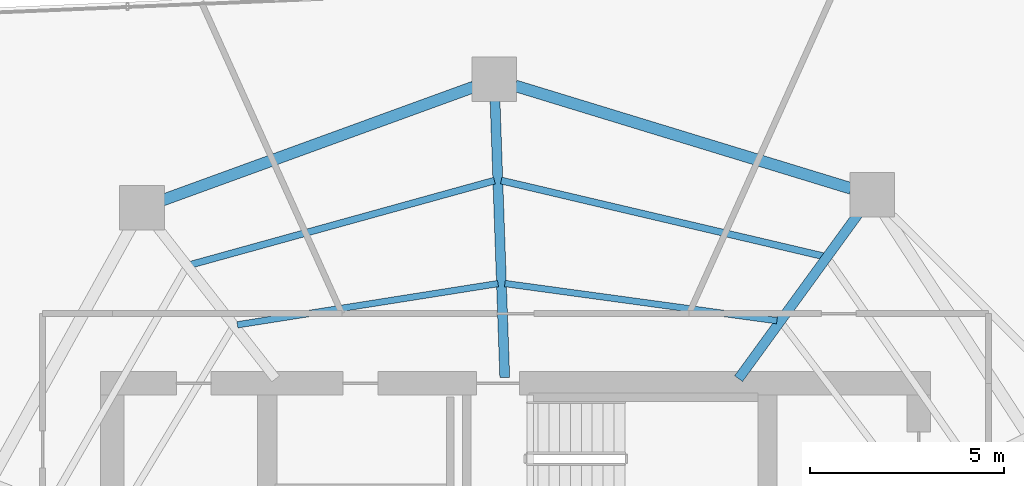
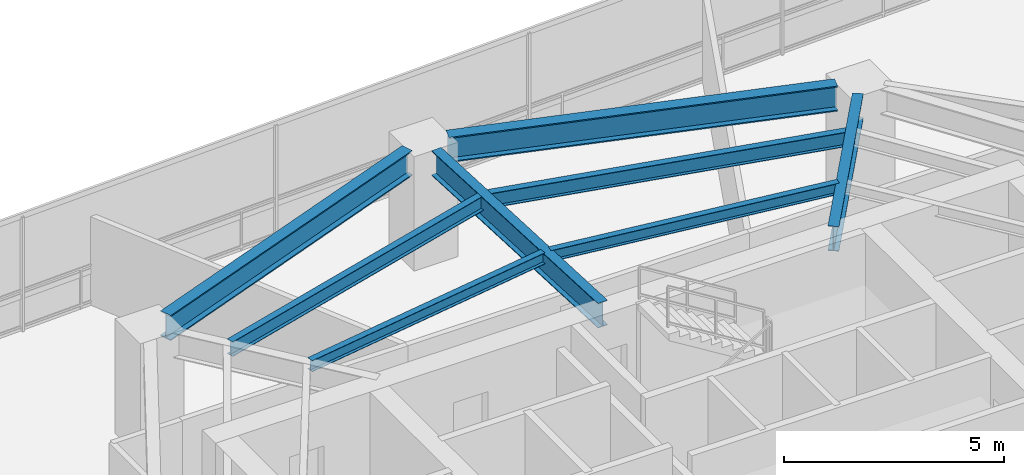
# One storey, part 15 of 25: 8 beams.
"""IFC4 building model written with IfcOpenShell, lengths in metres."""

from ifc_helpers import new_model, si_unit, direction, frame, origin, origin_2d, place, context, subcontext, project, spatial, i_section, extrude, material, material_profile, profile_set, type_object, element, save


model = new_model("IFC4")

# Units and contexts
model_context = context("Model", 3, precision=1e-05, world=origin(), true_north=direction((0.0, 1.0)))
body_context = subcontext(model_context, "Body", "Model", "MODEL_VIEW")
ifc_project = project(units=[si_unit("LENGTHUNIT", "METRE"), si_unit("AREAUNIT", "SQUARE_METRE"), si_unit("VOLUMEUNIT", "CUBIC_METRE"), si_unit("PLANEANGLEUNIT", "RADIAN"), si_unit("MASSUNIT", "GRAM", prefix="KILO")], contexts=[model_context])

# Site, building, storey
site_placement = place(None, origin())
site = spatial("IfcSite", under=ifc_project, at=site_placement, CompositionType="ELEMENT")
building_placement = place(site_placement, origin())
building = spatial("IfcBuilding", under=site, at=building_placement, Name="Qarnah Convention Tower", CompositionType="ELEMENT")
storey_placement = place(building_placement, frame((0.0, 0.0, 76.35009765625)))
storey = spatial("IfcBuildingStorey", under=building, at=storey_placement, Name="L19", CompositionType="ELEMENT", Elevation=76.35009765625)

# Beams
ifc_material = material(Name="Structural steel S355JR", Category="steel")
ifc_material_profile_1 = material_profile(ifc_material, i_section(OverallWidth=0.166015625, OverallDepth=0.31201171875, WebThickness=0.007080078125, FlangeThickness=0.010986328125, at=origin_2d()), Name="W310X45")
ifc_profile_set_1 = profile_set([ifc_material_profile_1], Name="Structural steel S355JR")
beam_type_1 = type_object("IfcBeamType", Name="BM-JST-W310", PredefinedType="JOIST", material=ifc_profile_set_1)
beam_1_placement = place(storey_placement, frame((43.944091796875, 35.81591796875, 3.013916015625), z_axis=(-0.99079026903, 0.135405475498, 0.0), x_axis=(-0.135405475498, -0.99079026903, 0.0)))
element("IfcBeam", 1, at=beam_1_placement, inside=storey, type_object=beam_type_1, Name="L19 joist BM-L19-IJST-02", PredefinedType="JOIST", context=body_context, shape_type="SweptSolid", body=[
    extrude(i_section(OverallWidth=0.166015625, OverallDepth=0.31201171875, WebThickness=0.007080078125, FlangeThickness=0.010986328125, at=origin_2d()), origin(), (0.0, 0.0, 1.0), 7.082275390625),
])
beam_2_placement = place(storey_placement, frame((36.7490234375, 36.77294921875, 3.013916015625), z_axis=(-0.987730371852, -0.156168858996, 0.0), x_axis=(0.156168858996, -0.987730371852, 0.0)))
element("IfcBeam", 2, at=beam_2_placement, inside=storey, type_object=beam_type_1, Name="L19 joist BM-L19-IJST-03", PredefinedType="JOIST", context=body_context, shape_type="SweptSolid", body=[
    extrude(i_section(OverallWidth=0.166015625, OverallDepth=0.31201171875, WebThickness=0.007080078125, FlangeThickness=0.010986328125, at=origin_2d()), origin(), (0.0, 0.0, 1.0), 6.806640625),
])
ifc_material_profile_2 = material_profile(ifc_material, i_section(OverallWidth=0.177978515625, OverallDepth=0.407958984375, WebThickness=0.008056640625, FlangeThickness=0.012939453125, at=origin_2d()), Name="W410X60")
ifc_profile_set_2 = profile_set([ifc_material_profile_2], Name="Structural steel S355JR")
beam_type_2 = type_object("IfcBeamType", Name="BM-JST-W410", PredefinedType="JOIST", material=ifc_profile_set_2)
beam_3_placement = place(storey_placement, frame((45.14501953125, 37.47802734375, 2.9658203125), z_axis=(-0.973473006102, 0.228801893328, 0.0), x_axis=(-0.228801893328, -0.973473006102, 0.0)))
element("IfcBeam", 3, at=beam_3_placement, inside=storey, type_object=beam_type_2, Name="L19 joist BM-L19-SJST-02", PredefinedType="JOIST", context=body_context, shape_type="SweptSolid", body=[
    extrude(i_section(OverallWidth=0.177978515625, OverallDepth=0.407958984375, WebThickness=0.008056640625, FlangeThickness=0.012939453125, at=origin_2d()), origin(), (0.0, 0.0, 1.0), 8.53955078125),
])
beam_4_placement = place(storey_placement, frame((36.656982421875, 39.428955078125, 2.9658203125), z_axis=(-0.963761857739, -0.266764093474, 0.0), x_axis=(0.266764093474, -0.963761857739, 0.0)))
element("IfcBeam", 4, at=beam_4_placement, inside=storey, type_object=beam_type_2, Name="L19 joist BM-L19-SJST-03", PredefinedType="JOIST", context=body_context, shape_type="SweptSolid", body=[
    extrude(i_section(OverallWidth=0.177978515625, OverallDepth=0.407958984375, WebThickness=0.008056640625, FlangeThickness=0.012939453125, at=origin_2d()), origin(), (0.0, 0.0, 1.0), 8.130615234375),
])
ifc_material_profile_3 = material_profile(ifc_material, i_section(OverallWidth=0.25390625, OverallDepth=0.68798828125, WebThickness=0.012939453125, FlangeThickness=0.02099609375, at=origin_2d()), Name="W690X152")
ifc_profile_set_3 = profile_set([ifc_material_profile_3], Name="Structural steel S355JR")
beam_type_3 = type_object("IfcBeamType", Name="BM-RAD-W690", PredefinedType="BEAM", material=ifc_profile_set_3)
beam_5_placement = place(storey_placement, frame((42.955078125, 34.321044921875, 2.825927734375), z_axis=(0.587824069471, 0.808988790621, 0.0), x_axis=(-0.808988790621, 0.587824069471, 0.0)))
element("IfcBeam", 5, at=beam_5_placement, inside=storey, type_object=beam_type_3, Name="L19 beam BM-L19-RAD-02", PredefinedType="BEAM", context=body_context, shape_type="SweptSolid", body=[
    extrude(i_section(OverallWidth=0.25390625, OverallDepth=0.68798828125, WebThickness=0.012939453125, FlangeThickness=0.02099609375, at=origin_2d()), origin(), (0.0, 0.0, 1.0), 5.30419921875),
])
beam_6_placement = place(storey_placement, frame((36.923095703125, 34.35009765625, 2.825927734375), z_axis=(-0.035017005912, 0.99938671659, 0.0), x_axis=(-0.99938671659, -0.035017005912, 0.0)))
element("IfcBeam", 6, at=beam_6_placement, inside=storey, type_object=beam_type_3, Name="L19 beam BM-L19-RAD-03", PredefinedType="BEAM", context=body_context, shape_type="SweptSolid", body=[
    extrude(i_section(OverallWidth=0.25390625, OverallDepth=0.68798828125, WebThickness=0.012939453125, FlangeThickness=0.02099609375, at=origin_2d()), origin(), (0.0, 0.0, 1.0), 7.139404296875),
])
ifc_material_profile_4 = material_profile(ifc_material, i_section(OverallWidth=0.300048828125, OverallDepth=0.699951171875, WebThickness=0.01708984375, FlangeThickness=0.031982421875, at=origin_2d()), Name="HEB700")
ifc_profile_set_4 = profile_set([ifc_material_profile_4], Name="Structural steel S355JR")
beam_type_4 = type_object("IfcBeamType", Name="BM-RING-HEB700", PredefinedType="BEAM", material=ifc_profile_set_4)
beam_7_placement = place(storey_placement, frame((45.85888671875, 39.22607421875, 2.81982421875), z_axis=(-0.956309936148, 0.292354760565, 0.0), x_axis=(-0.292354760565, -0.956309936148, 0.0)))
element("IfcBeam", 7, at=beam_7_placement, inside=storey, type_object=beam_type_4, Name="L19 beam BM-L19-SPN-02", PredefinedType="BEAM", context=body_context, shape_type="SweptSolid", body=[
    extrude(i_section(OverallWidth=0.300048828125, OverallDepth=0.699951171875, WebThickness=0.01708984375, FlangeThickness=0.031982421875, at=origin_2d()), origin(), (0.0, 0.0, 1.0), 9.060546875),
])
beam_8_placement = place(storey_placement, frame((36.123046875, 41.846923828125, 2.81982421875), z_axis=(-0.939683226771, -0.342045952067, 0.0), x_axis=(0.342045952067, -0.939683226771, 0.0)))
element("IfcBeam", 8, at=beam_8_placement, inside=storey, type_object=beam_type_4, Name="L19 beam BM-L19-SPN-03", PredefinedType="BEAM", context=body_context, shape_type="SweptSolid", body=[
    extrude(i_section(OverallWidth=0.300048828125, OverallDepth=0.699951171875, WebThickness=0.01708984375, FlangeThickness=0.031982421875, at=origin_2d()), origin(), (0.0, 0.0, 1.0), 8.542236328125),
])

save(model, "model.ifc")
